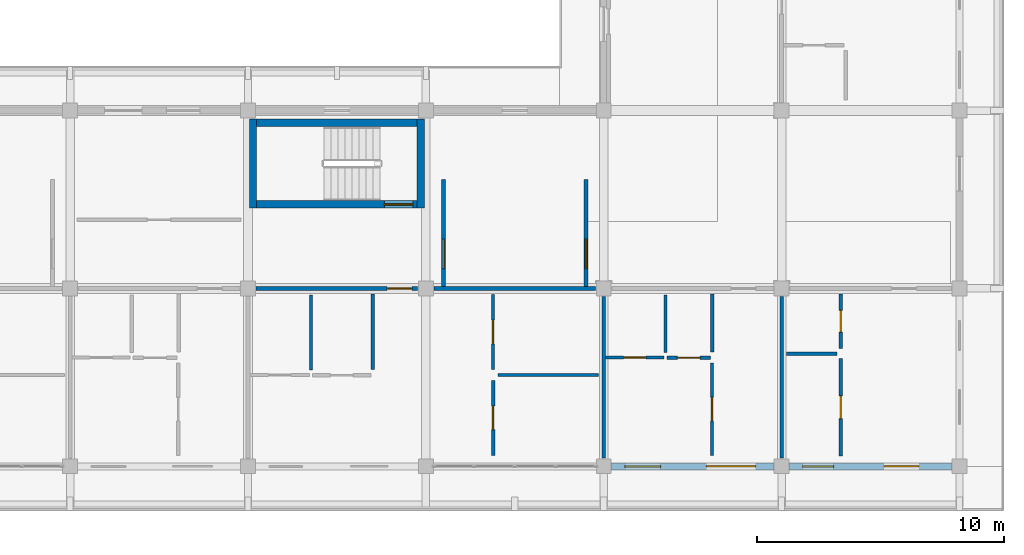
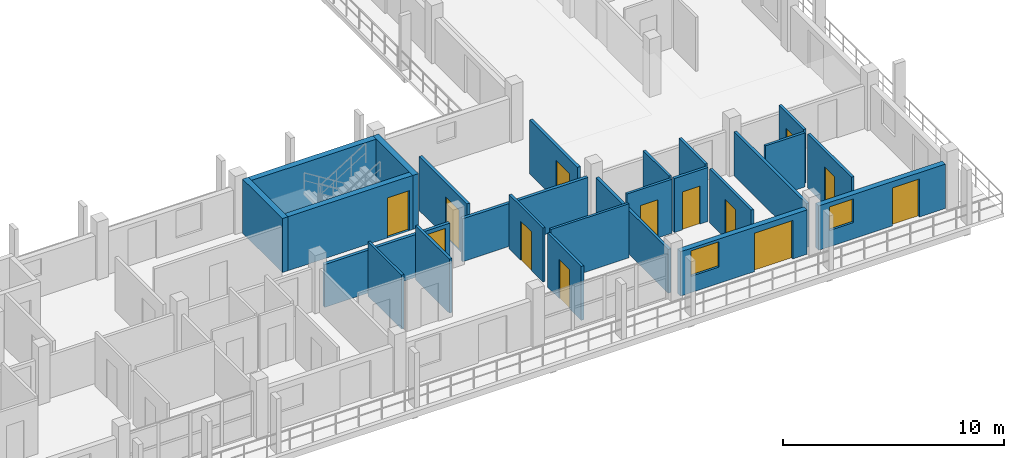
# One storey, part 53 of 76: 25 walls, 13 doors, 2 windows, 15 openings.
"""IFC4 building model written with IfcOpenShell, lengths in metres."""

from ifc_helpers import new_model, si_unit, direction, frame, frame_2d, origin, place, context, subcontext, project, spatial, rectangle, extrude, material, layer, layer_set, type_object, element, fill, save


model = new_model("IFC4")

# Units and contexts
model_context = context("Model", 3, precision=1e-05, world=origin(), true_north=direction((0.0, 1.0)))
body_context = subcontext(model_context, "Body", "Model", "MODEL_VIEW")
ifc_project = project(units=[si_unit("LENGTHUNIT", "METRE"), si_unit("AREAUNIT", "SQUARE_METRE"), si_unit("VOLUMEUNIT", "CUBIC_METRE"), si_unit("PLANEANGLEUNIT", "RADIAN"), si_unit("MASSUNIT", "GRAM", prefix="KILO")], contexts=[model_context])

# Site, building, storey
site_placement = place(None, origin())
site = spatial("IfcSite", under=ifc_project, at=site_placement, CompositionType="ELEMENT")
building_placement = place(site_placement, origin())
building = spatial("IfcBuilding", under=site, at=building_placement, Name="Suanplinth Sawtooth Commons", CompositionType="ELEMENT")
storey_placement = place(building_placement, frame((0.0, 0.0, 12.199951171875)))
storey = spatial("IfcBuildingStorey", under=building, at=storey_placement, Name="L03", CompositionType="ELEMENT", Elevation=12.199951171875)

# Wall, opening, door
ifc_material_1 = material(Name="Concrete C40/50", Category="concrete")
ifc_layer_1 = layer(ifc_material_1, 0.300048828125, Name="Standard RC stair and lift core wall 300mm")
ifc_layer_set_1 = layer_set([ifc_layer_1], Name="Concrete C40/50")
wall_type_1 = type_object("IfcWallType", Name="W-CR02", PredefinedType="SHEAR", material=ifc_layer_set_1)
wall_1_placement = place(storey_placement, frame((158.75, 10.60009765625, 0.0), z_axis=(0.0, 0.0, 1.0), x_axis=(1.0, 0.0, 0.0)))
wall_1 = element("IfcWall", 1, at=wall_1_placement, inside=storey, type_object=wall_type_1, Name="W-L03-C-C2-STS", PredefinedType="SHEAR", context=body_context, shape_type="SweptSolid", body=[
    extrude(rectangle(XDim=6.5, YDim=0.300048828125, at=frame_2d((3.25, 0.0))), origin(), (0.0, 0.0, 1.0), 2.97998046875),
])
opening_1_placement = place(wall_1_placement, frame((5.169921875, 0.0, 0.0)))
opening_1 = element("IfcOpeningElement", 2, at=opening_1_placement, cuts=wall_1, Name="Opening FD0333", PredefinedType="OPENING", context=body_context, shape_type="SweptSolid", body=[
    extrude(rectangle(XDim=1.14990234375, YDim=2.199951171875, at=frame_2d((0.574951171875, 1.10009765625))), frame((0.0, 0.1650390625, 0.0), z_axis=(0.0, -1.0, 0.0), x_axis=(1.0, 0.0, 0.0)), (0.0, 0.0, 1.0), 0.329833984375),
])
ifc_material_2 = material(Name="Teak hardwood fire-rated door assembly", Category="wood")
door_type_1 = type_object("IfcDoorType", Name="FD-01", OperationType="NOTDEFINED", PredefinedType="DOOR", material=ifc_material_2)
door_1_placement = place(opening_1_placement, origin())
door_1 = element("IfcDoor", 3, at=door_1_placement, inside=storey, type_object=door_type_1, Name="Exit Stair Fire Door FD0333", OperationType="SINGLE_SWING_RIGHT", OverallHeight=2.199951171875, OverallWidth=1.14990234375, PredefinedType="DOOR", context=body_context, shape_type="SweptSolid", body=[
    extrude(rectangle(XDim=1.14990234375, YDim=2.199951171875, at=frame_2d((0.574951171875, 1.10009765625))), frame((0.0, 0.02490234375, 0.0), z_axis=(0.0, -1.0, 0.0), x_axis=(1.0, 0.0, 0.0)), (0.0, 0.0, 1.0), 0.050048828125),
])
fill(opening_1, door_1)

# Walls
wall_2_placement = place(storey_placement, frame((158.75, 13.89990234375, 0.0), z_axis=(0.0, 0.0, 1.0), x_axis=(1.0, 0.0, 0.0)))
element("IfcWall", 4, at=wall_2_placement, inside=storey, type_object=wall_type_1, Name="W-L03-C-C2-STN", PredefinedType="SHEAR", context=body_context, shape_type="SweptSolid", body=[
    extrude(rectangle(XDim=6.5, YDim=0.300048828125, at=frame_2d((3.25, 0.0))), origin(), (0.0, 0.0, 1.0), 2.97998046875),
])
for number, where, z_axis, x_axis, name in (
    (5, (158.60009765625, 10.449951171875, 0.0), (0.0, 0.0, 1.0), (0.0, 1.0, 0.0), "W-L03-C-C2-STW"),
    (6, (165.39990234375, 10.449951171875, 0.0), (0.0, 0.0, 1.0), (0.0, 1.0, 0.0), "W-L03-C-C2-STE"),
):
    element("IfcWall", number, at=place(storey_placement, frame(where, z_axis=z_axis, x_axis=x_axis)), inside=storey, type_object=wall_type_1, Name=name, PredefinedType="SHEAR", context=body_context, shape_type="SweptSolid", body=[
        extrude(rectangle(XDim=3.60009765625, YDim=0.300048828125, at=frame_2d((1.800048828125, 0.0))), origin(), (0.0, 0.0, 1.0), 2.97998046875),
    ])

# Wall, openings, door, window
ifc_material_3 = material(Name="Precast concrete C40/50", Category="concrete")
ifc_layer_2 = layer(ifc_material_3, 0.280029296875, Name="Insulated precast architectural facade wall 280mm")
ifc_layer_set_2 = layer_set([ifc_layer_2], Name="Precast concrete C40/50")
wall_type_2 = type_object("IfcWallType", Name="W-EX01", PredefinedType="ELEMENTEDWALL", material=ifc_layer_set_2)
wall_3_placement = place(storey_placement, frame((173.10009765625, 0.0, 0.0), z_axis=(0.0, 0.0, 1.0), x_axis=(1.0, 0.0, 0.0)))
wall_3 = element("IfcWall", 7, at=wall_3_placement, inside=storey, type_object=wall_type_2, Name="Facade Wall W-L03-C-S-24-0", PredefinedType="ELEMENTEDWALL", context=body_context, shape_type="SweptSolid", body=[
    extrude(rectangle(XDim=6.599853515625, YDim=0.280029296875, at=frame_2d((3.2998046875, 0.0))), origin(), (0.0, 0.0, 1.0), 2.445068359375),
])
opening_2_placement = place(wall_3_placement, frame((3.85009765625, 0.0, 0.0)))
opening_2 = element("IfcOpeningElement", 8, at=opening_2_placement, cuts=wall_3, Name="Opening ED0276", PredefinedType="OPENING", context=body_context, shape_type="SweptSolid", body=[
    extrude(rectangle(XDim=2.0, YDim=2.1201171875, at=frame_2d((1.0, 1.06005859375))), frame((0.0, 0.15478515625, 0.0), z_axis=(0.0, -1.0, 0.0), x_axis=(1.0, 0.0, 0.0)), (0.0, 0.0, 1.0), 0.309814453125),
])
opening_3_placement = place(wall_3_placement, frame((0.550048828125, 0.0, 0.89990234375)))
opening_3 = element("IfcOpeningElement", 9, at=opening_3_placement, cuts=wall_3, Name="Opening W0386", PredefinedType="OPENING", context=body_context, shape_type="SweptSolid", body=[
    extrude(rectangle(XDim=1.449951171875, YDim=1.39990234375, at=frame_2d((0.72509765625, 0.699951171875))), frame((0.0, 0.15478515625, 0.0), z_axis=(0.0, -1.0, 0.0), x_axis=(1.0, 0.0, 0.0)), (0.0, 0.0, 1.0), 0.309814453125),
])
ifc_material_4 = material(Name="Anodized aluminium and low-E glass", Category="aluminium")
door_type_2 = type_object("IfcDoorType", Name="SD-06", OperationType="DOUBLE_DOOR_SLIDING", PredefinedType="DOOR", material=ifc_material_4)
door_2_placement = place(opening_2_placement, frame((2.0, 0.0, 0.0), z_axis=(0.0, 0.0, 1.0), x_axis=(-1.0, 0.0, 0.0)))
door_2 = element("IfcDoor", 10, at=door_2_placement, inside=storey, type_object=door_type_2, Name="Balcony Sliding Door L03-C-24", OperationType="DOUBLE_DOOR_SLIDING", OverallHeight=2.1201171875, OverallWidth=2.0, PredefinedType="DOOR", context=body_context, shape_type="SweptSolid", body=[
    extrude(rectangle(XDim=2.0, YDim=2.1201171875, at=frame_2d((1.0, 1.06005859375))), frame((0.0, 0.02490234375, 0.0), z_axis=(0.0, -1.0, 0.0), x_axis=(1.0, 0.0, 0.0)), (0.0, 0.0, 1.0), 0.050048828125),
])
fill(opening_2, door_2)
ifc_material_5 = material(Name="Thermally broken aluminium and low-E double glazing", Category="aluminium")
window_type_1 = type_object("IfcWindowType", Name="WN-16", PartitioningType="DOUBLE_PANEL_VERTICAL", PredefinedType="WINDOW", material=ifc_material_5)
window_1_placement = place(opening_3_placement, origin())
window_1 = element("IfcWindow", 11, at=window_1_placement, inside=storey, type_object=window_type_1, Name="Apartment Window L03-C-24", OverallHeight=1.39990234375, OverallWidth=1.449951171875, PartitioningType="DOUBLE_PANEL_VERTICAL", PredefinedType="WINDOW", context=body_context, shape_type="SweptSolid", body=[
    extrude(rectangle(XDim=1.449951171875, YDim=1.39990234375, at=frame_2d((0.72509765625, 0.699951171875))), frame((0.0, 0.030029296875, 0.0), z_axis=(0.0, -1.0, 0.0), x_axis=(1.0, 0.0, 0.0)), (0.0, 0.0, 1.0), 0.06005859375),
])
fill(opening_3, window_1)

wall_4_placement = place(storey_placement, frame((180.300048828125, 0.0, 0.0), z_axis=(0.0, 0.0, 1.0), x_axis=(1.0, 0.0, 0.0)))
wall_4 = element("IfcWall", 12, at=wall_4_placement, inside=storey, type_object=wall_type_2, Name="Facade Wall W-L03-C-S-25-0", PredefinedType="ELEMENTEDWALL", context=body_context, shape_type="SweptSolid", body=[
    extrude(rectangle(XDim=6.599853515625, YDim=0.280029296875, at=frame_2d((3.2998046875, 0.0))), origin(), (0.0, 0.0, 1.0), 2.445068359375),
])
opening_4_placement = place(wall_4_placement, frame((3.85009765625, 0.0, 0.0)))
opening_4 = element("IfcOpeningElement", 13, at=opening_4_placement, cuts=wall_4, Name="Opening ED0281", PredefinedType="OPENING", context=body_context, shape_type="SweptSolid", body=[
    extrude(rectangle(XDim=1.39990234375, YDim=2.10009765625, at=frame_2d((0.699951171875, 1.050048828125))), frame((0.0, 0.15478515625, 0.0), z_axis=(0.0, -1.0, 0.0), x_axis=(1.0, 0.0, 0.0)), (0.0, 0.0, 1.0), 0.309814453125),
])
opening_5_placement = place(wall_4_placement, frame((0.550048828125, 0.0, 0.89990234375)))
opening_5 = element("IfcOpeningElement", 14, at=opening_5_placement, cuts=wall_4, Name="Opening W0388", PredefinedType="OPENING", context=body_context, shape_type="SweptSolid", body=[
    extrude(rectangle(XDim=1.25, YDim=1.300048828125, at=frame_2d((0.625, 0.64990234375))), frame((0.0, 0.15478515625, 0.0), z_axis=(0.0, -1.0, 0.0), x_axis=(1.0, 0.0, 0.0)), (0.0, 0.0, 1.0), 0.309814453125),
])
door_type_3 = type_object("IfcDoorType", Name="SD-07", OperationType="SLIDING_TO_RIGHT", PredefinedType="DOOR", material=ifc_material_4)
door_3_placement = place(opening_4_placement, frame((1.39990234375, 0.0, 0.0), z_axis=(0.0, 0.0, 1.0), x_axis=(-1.0, 0.0, 0.0)))
door_3 = element("IfcDoor", 15, at=door_3_placement, inside=storey, type_object=door_type_3, Name="Balcony Sliding Door L03-C-25", OperationType="SLIDING_TO_RIGHT", OverallHeight=2.10009765625, OverallWidth=1.39990234375, PredefinedType="DOOR", context=body_context, shape_type="SweptSolid", body=[
    extrude(rectangle(XDim=1.39990234375, YDim=2.10009765625, at=frame_2d((0.699951171875, 1.050048828125))), frame((0.0, 0.02490234375, 0.0), z_axis=(0.0, -1.0, 0.0), x_axis=(1.0, 0.0, 0.0)), (0.0, 0.0, 1.0), 0.050048828125),
])
fill(opening_4, door_3)
window_type_2 = type_object("IfcWindowType", Name="WN-17", PartitioningType="SINGLE_PANEL", PredefinedType="WINDOW", material=ifc_material_5)
window_2_placement = place(opening_5_placement, origin())
window_2 = element("IfcWindow", 16, at=window_2_placement, inside=storey, type_object=window_type_2, Name="Apartment Window L03-C-25", OverallHeight=1.300048828125, OverallWidth=1.25, PartitioningType="SINGLE_PANEL", PredefinedType="WINDOW", context=body_context, shape_type="SweptSolid", body=[
    extrude(rectangle(XDim=1.25, YDim=1.300048828125, at=frame_2d((0.625, 0.64990234375))), frame((0.0, 0.030029296875, 0.0), z_axis=(0.0, -1.0, 0.0), x_axis=(1.0, 0.0, 0.0)), (0.0, 0.0, 1.0), 0.06005859375),
])
fill(opening_5, window_2)

# Wall, opening, door
ifc_layer_3 = layer(ifc_material_3, 0.159912109375, Name="Fire-rated corridor and lobby wall 160mm")
ifc_layer_set_3 = layer_set([ifc_layer_3], Name="Precast concrete C40/50")
wall_type_3 = type_object("IfcWallType", Name="W-FW01", PredefinedType="PARTITIONING", material=ifc_layer_set_3)
wall_5_placement = place(storey_placement, frame((166.320068359375, 7.280029296875, 0.0), z_axis=(0.0, 0.0, 1.0), x_axis=(0.0, 1.0, 0.0)))
wall_5 = element("IfcWall", 17, at=wall_5_placement, inside=storey, type_object=wall_type_3, Name="W-L03-C-C2-LOB-W", PredefinedType="PARTITIONING", context=body_context, shape_type="SweptSolid", body=[
    extrude(rectangle(XDim=4.320068359375, YDim=0.159912109375, at=frame_2d((2.16015625, 0.0))), origin(), (0.0, 0.0, 1.0), 2.97998046875),
])
opening_6_placement = place(wall_5_placement, frame((0.719970703125, 0.0, 0.0)))
opening_6 = element("IfcOpeningElement", 18, at=opening_6_placement, cuts=wall_5, Name="Opening FD0334", PredefinedType="OPENING", context=body_context, shape_type="SweptSolid", body=[
    extrude(rectangle(XDim=1.199951171875, YDim=2.199951171875, at=frame_2d((0.60009765625, 1.10009765625))), frame((0.0, 0.0947265625, 0.0), z_axis=(0.0, -1.0, 0.0), x_axis=(1.0, 0.0, 0.0)), (0.0, 0.0, 1.0), 0.189697265625),
])
door_type_4 = type_object("IfcDoorType", Name="FD-02", OperationType="NOTDEFINED", PredefinedType="DOOR", material=ifc_material_2)
door_4_placement = place(opening_6_placement, origin())
door_4 = element("IfcDoor", 19, at=door_4_placement, inside=storey, type_object=door_type_4, Name="Lobby Fire Door FD0334", OperationType="SINGLE_SWING_LEFT", OverallHeight=2.199951171875, OverallWidth=1.199951171875, PredefinedType="DOOR", context=body_context, shape_type="SweptSolid", body=[
    extrude(rectangle(XDim=1.199951171875, YDim=2.199951171875, at=frame_2d((0.60009765625, 1.10009765625))), frame((0.0, 0.02490234375, 0.0), z_axis=(0.0, -1.0, 0.0), x_axis=(1.0, 0.0, 0.0)), (0.0, 0.0, 1.0), 0.050048828125),
])
fill(opening_6, door_4)

wall_6_placement = place(storey_placement, frame((172.080078125, 7.280029296875, 0.0), z_axis=(0.0, 0.0, 1.0), x_axis=(0.0, 1.0, 0.0)))
wall_6 = element("IfcWall", 20, at=wall_6_placement, inside=storey, type_object=wall_type_3, Name="W-L03-C-C2-LOB-E", PredefinedType="PARTITIONING", context=body_context, shape_type="SweptSolid", body=[
    extrude(rectangle(XDim=4.320068359375, YDim=0.159912109375, at=frame_2d((2.16015625, 0.0))), origin(), (0.0, 0.0, 1.0), 2.97998046875),
])
opening_7_placement = place(wall_6_placement, frame((0.719970703125, 0.0, 0.0)))
opening_7 = element("IfcOpeningElement", 21, at=opening_7_placement, cuts=wall_6, Name="Opening FD0335", PredefinedType="OPENING", context=body_context, shape_type="SweptSolid", body=[
    extrude(rectangle(XDim=1.199951171875, YDim=2.199951171875, at=frame_2d((0.60009765625, 1.10009765625))), frame((0.0, 0.0947265625, 0.0), z_axis=(0.0, -1.0, 0.0), x_axis=(1.0, 0.0, 0.0)), (0.0, 0.0, 1.0), 0.189697265625),
])
door_5_placement = place(opening_7_placement, frame((1.199951171875, 0.0, 0.0), z_axis=(0.0, 0.0, 1.0), x_axis=(-1.0, 0.0, 0.0)))
door_5 = element("IfcDoor", 22, at=door_5_placement, inside=storey, type_object=door_type_4, Name="Lobby Fire Door FD0335", OperationType="SINGLE_SWING_RIGHT", OverallHeight=2.199951171875, OverallWidth=1.199951171875, PredefinedType="DOOR", context=body_context, shape_type="SweptSolid", body=[
    extrude(rectangle(XDim=1.199951171875, YDim=2.199951171875, at=frame_2d((0.60009765625, 1.10009765625))), frame((0.0, 0.02490234375, 0.0), z_axis=(0.0, -1.0, 0.0), x_axis=(1.0, 0.0, 0.0)), (0.0, 0.0, 1.0), 0.050048828125),
])
fill(opening_7, door_5)

wall_7_placement = place(storey_placement, frame((158.72998046875, 7.199951171875, 0.0), z_axis=(0.0, 0.0, 1.0), x_axis=(1.0, 0.0, 0.0)))
wall_7 = element("IfcWall", 23, at=wall_7_placement, inside=storey, type_object=wall_type_3, Name="W-C-L03-U05-COR-S1", PredefinedType="PARTITIONING", context=body_context, shape_type="SweptSolid", body=[
    extrude(rectangle(XDim=6.5400390625, YDim=0.159912109375, at=frame_2d((3.27001953125, 0.0))), origin(), (0.0, 0.0, 1.0), 2.364990234375),
])
opening_8_placement = place(wall_7_placement, frame((5.300048828125, 0.0, 0.0)))
opening_8 = element("IfcOpeningElement", 24, at=opening_8_placement, cuts=wall_7, Name="Opening FD0977", PredefinedType="OPENING", context=body_context, shape_type="SweptSolid", body=[
    extrude(rectangle(XDim=1.0, YDim=2.14990234375, at=frame_2d((0.5, 1.074951171875))), frame((0.0, 0.0947265625, 0.0), z_axis=(0.0, -1.0, 0.0), x_axis=(1.0, 0.0, 0.0)), (0.0, 0.0, 1.0), 0.189697265625),
])
door_type_5 = type_object("IfcDoorType", Name="FD-03", OperationType="NOTDEFINED", PredefinedType="DOOR", material=ifc_material_2)
door_6_placement = place(opening_8_placement, frame((1.0, 0.0, 0.0), z_axis=(0.0, 0.0, 1.0), x_axis=(-1.0, 0.0, 0.0)))
door_6 = element("IfcDoor", 25, at=door_6_placement, inside=storey, type_object=door_type_5, Name="Unit Entrance Door FD0977", OperationType="SINGLE_SWING_LEFT", OverallHeight=2.14990234375, OverallWidth=1.0, PredefinedType="DOOR", context=body_context, shape_type="SweptSolid", body=[
    extrude(rectangle(XDim=1.0, YDim=2.14990234375, at=frame_2d((0.5, 1.074951171875))), frame((0.0, 0.02490234375, 0.0), z_axis=(0.0, -1.0, 0.0), x_axis=(1.0, 0.0, 0.0)), (0.0, 0.0, 1.0), 0.050048828125),
])
fill(opening_8, door_6)

# Walls
wall_8_placement = place(storey_placement, frame((165.929931640625, 7.199951171875, 0.0), z_axis=(0.0, 0.0, 1.0), x_axis=(1.0, 0.0, 0.0)))
element("IfcWall", 26, at=wall_8_placement, inside=storey, type_object=wall_type_3, Name="W-C-L03-U05-COR-S2", PredefinedType="PARTITIONING", context=body_context, shape_type="SweptSolid", body=[
    extrude(rectangle(XDim=6.5400390625, YDim=0.159912109375, at=frame_2d((3.27001953125, 0.0))), origin(), (0.0, 0.0, 1.0), 2.364990234375),
])
ifc_layer_4 = layer(ifc_material_3, 0.14990234375, Name="Acoustic precast party demising wall 150mm")
ifc_layer_set_4 = layer_set([ifc_layer_4], Name="Precast concrete C40/50")
wall_type_4 = type_object("IfcWallType", Name="W-FW02", PredefinedType="PARTITIONING", material=ifc_layer_set_4)
for number, where, z_axis, x_axis, name in (
    (27, (172.800048828125, 0.330078125, 0.0), (0.0, 0.0, 1.0), (0.0, 1.0, 0.0), "W-C-L03-U05-PTY"),
    (28, (180.0, 0.330078125, 0.0), (0.0, 0.0, 1.0), (0.0, 1.0, 0.0), "W-C-L03-U06-PTY"),
):
    element("IfcWall", number, at=place(storey_placement, frame(where, z_axis=z_axis, x_axis=x_axis)), inside=storey, type_object=wall_type_4, Name=name, PredefinedType="PARTITIONING", context=body_context, shape_type="SweptSolid", body=[
        extrude(rectangle(XDim=6.5400390625, YDim=0.14990234375, at=frame_2d((3.27001953125, 0.0))), origin(), (0.0, 0.0, 1.0), 2.4150390625),
    ])
ifc_material_6 = material(Name="Gypsum plasterboard on steel stud", Category="steel")
ifc_layer_5 = layer(ifc_material_6, 0.139892578125, Name="Fire-rated kitchen partition 140mm")
ifc_layer_set_5 = layer_set([ifc_layer_5], Name="Gypsum plasterboard on steel stud")
wall_type_5 = type_object("IfcWallType", Name="W-PT01", PredefinedType="PARTITIONING", material=ifc_layer_set_5)
wall_9_placement = place(storey_placement, frame((163.449951171875, 3.909912109375, 0.0), z_axis=(0.0, 0.0, 1.0), x_axis=(0.0, 1.0, 0.0)))
element("IfcWall", 29, at=wall_9_placement, inside=storey, type_object=wall_type_5, Name="W-C-L03-U05-KIT2", PredefinedType="PARTITIONING", context=body_context, shape_type="SweptSolid", body=[
    extrude(rectangle(XDim=3.06005859375, YDim=0.139892578125, at=frame_2d((1.530029296875, 0.0))), origin(), (0.0, 0.0, 1.0), 2.97998046875),
])

# Wall, opening, door
wall_10_placement = place(storey_placement, frame((175.35009765625, 4.39990234375, 0.0), z_axis=(0.0, 0.0, 1.0), x_axis=(1.0, 0.0, 0.0)))
wall_10 = element("IfcWall", 30, at=wall_10_placement, inside=storey, type_object=wall_type_5, Name="W-C-L03-U06-KIT1", PredefinedType="PARTITIONING", context=body_context, shape_type="SweptSolid", body=[
    extrude(rectangle(XDim=1.77001953125, YDim=0.139892578125, at=frame_2d((0.885009765625, 0.0))), origin(), (0.0, 0.0, 1.0), 2.97998046875),
])
opening_9_placement = place(wall_10_placement, frame((0.425048828125, 0.0, 0.0)))
opening_9 = element("IfcOpeningElement", 31, at=opening_9_placement, cuts=wall_10, Name="Opening D0984", PredefinedType="OPENING", context=body_context, shape_type="SweptSolid", body=[
    extrude(rectangle(XDim=0.919921875, YDim=2.10009765625, at=frame_2d((0.4599609375, 1.050048828125))), frame((0.0, 0.0849609375, 0.0), z_axis=(0.0, -1.0, 0.0), x_axis=(1.0, 0.0, 0.0)), (0.0, 0.0, 1.0), 0.169677734375),
])
ifc_material_7 = material(Name="Teak hardwood", Category="wood")
door_type_6 = type_object("IfcDoorType", Name="D-02", OperationType="NOTDEFINED", PredefinedType="DOOR", material=ifc_material_7)
door_7_placement = place(opening_9_placement, origin())
door_7 = element("IfcDoor", 32, at=door_7_placement, inside=storey, type_object=door_type_6, Name="Kitchen Door D0984", OperationType="SINGLE_SWING_RIGHT", OverallHeight=2.10009765625, OverallWidth=0.919921875, PredefinedType="DOOR", context=body_context, shape_type="SweptSolid", body=[
    extrude(rectangle(XDim=0.919921875, YDim=2.10009765625, at=frame_2d((0.4599609375, 1.050048828125))), frame((0.0, 0.02490234375, 0.0), z_axis=(0.0, -1.0, 0.0), x_axis=(1.0, 0.0, 0.0)), (0.0, 0.0, 1.0), 0.050048828125),
])
fill(opening_9, door_7)

# Wall
wall_11_placement = place(storey_placement, frame((177.18994140625, 4.6201171875, 0.0), z_axis=(0.0, 0.0, 1.0), x_axis=(0.0, 1.0, 0.0)))
element("IfcWall", 33, at=wall_11_placement, inside=storey, type_object=wall_type_5, Name="W-C-L03-U06-KIT2", PredefinedType="PARTITIONING", context=body_context, shape_type="SweptSolid", body=[
    extrude(rectangle(XDim=2.349853515625, YDim=0.139892578125, at=frame_2d((1.1748046875, 0.0))), origin(), (0.0, 0.0, 1.0), 2.97998046875),
])

# Wall, opening, door
wall_12_placement = place(storey_placement, frame((182.39501953125, 0.419921875, 0.0), z_axis=(0.0, 0.0, 1.0), x_axis=(0.0, 1.0, 0.0)))
wall_12 = element("IfcWall", 34, at=wall_12_placement, inside=storey, type_object=wall_type_5, Name="W-C-L03-U07-KITE", PredefinedType="PARTITIONING", context=body_context, shape_type="SweptSolid", body=[
    extrude(rectangle(XDim=3.940185546875, YDim=0.139892578125, at=frame_2d((1.97021484375, 0.0))), origin(), (0.0, 0.0, 1.0), 2.97998046875),
])
opening_10_placement = place(wall_12_placement, frame((1.510009765625, 0.0, 0.0)))
opening_10 = element("IfcOpeningElement", 35, at=opening_10_placement, cuts=wall_12, Name="Opening D0988", PredefinedType="OPENING", context=body_context, shape_type="SweptSolid", body=[
    extrude(rectangle(XDim=0.919921875, YDim=2.10009765625, at=frame_2d((0.4599609375, 1.050048828125))), frame((0.0, 0.0849609375, 0.0), z_axis=(0.0, -1.0, 0.0), x_axis=(1.0, 0.0, 0.0)), (0.0, 0.0, 1.0), 0.169677734375),
])
door_8_placement = place(opening_10_placement, origin())
door_8 = element("IfcDoor", 36, at=door_8_placement, inside=storey, type_object=door_type_6, Name="Kitchen Door D0988", OperationType="SINGLE_SWING_RIGHT", OverallHeight=2.10009765625, OverallWidth=0.919921875, PredefinedType="DOOR", context=body_context, shape_type="SweptSolid", body=[
    extrude(rectangle(XDim=0.919921875, YDim=2.10009765625, at=frame_2d((0.4599609375, 1.050048828125))), frame((0.0, 0.02490234375, 0.0), z_axis=(0.0, -1.0, 0.0), x_axis=(1.0, 0.0, 0.0)), (0.0, 0.0, 1.0), 0.050048828125),
])
fill(opening_10, door_8)

# Wall
ifc_layer_6 = layer(ifc_material_6, 0.1298828125, Name="Moisture-resistant bathroom partition 130mm")
ifc_layer_set_6 = layer_set([ifc_layer_6], Name="Gypsum plasterboard on steel stud")
wall_type_6 = type_object("IfcWallType", Name="W-PT02", PredefinedType="PARTITIONING", material=ifc_layer_set_6)
wall_13_placement = place(storey_placement, frame((160.945068359375, 3.89990234375, 0.0), z_axis=(0.0, 0.0, 1.0), x_axis=(0.0, 1.0, 0.0)))
element("IfcWall", 37, at=wall_13_placement, inside=storey, type_object=wall_type_6, Name="W-C-L03-U05-BTH2", PredefinedType="PARTITIONING", context=body_context, shape_type="SweptSolid", body=[
    extrude(rectangle(XDim=3.0400390625, YDim=0.1298828125, at=frame_2d((1.52001953125, 0.0))), origin(), (0.0, 0.0, 1.0), 2.97998046875),
])

# Wall, opening, door
wall_14_placement = place(storey_placement, frame((172.8798828125, 4.405029296875, 0.0), z_axis=(0.0, 0.0, 1.0), x_axis=(1.0, 0.0, 0.0)))
wall_14 = element("IfcWall", 38, at=wall_14_placement, inside=storey, type_object=wall_type_6, Name="W-C-L03-U06-BTH1", PredefinedType="PARTITIONING", context=body_context, shape_type="SweptSolid", body=[
    extrude(rectangle(XDim=2.35009765625, YDim=0.1298828125, at=frame_2d((1.175048828125, 0.0))), origin(), (0.0, 0.0, 1.0), 2.97998046875),
])
opening_11_placement = place(wall_14_placement, frame((0.72509765625, 0.0, 0.0)))
opening_11 = element("IfcOpeningElement", 39, at=opening_11_placement, cuts=wall_14, Name="Opening D0983", PredefinedType="OPENING", context=body_context, shape_type="SweptSolid", body=[
    extrude(rectangle(XDim=0.89990234375, YDim=2.10009765625, at=frame_2d((0.449951171875, 1.050048828125))), frame((0.0, 0.079833984375, 0.0), z_axis=(0.0, -1.0, 0.0), x_axis=(1.0, 0.0, 0.0)), (0.0, 0.0, 1.0), 0.15966796875),
])
door_type_7 = type_object("IfcDoorType", Name="D-01", OperationType="NOTDEFINED", PredefinedType="DOOR", material=ifc_material_7)
door_9_placement = place(opening_11_placement, origin())
door_9 = element("IfcDoor", 40, at=door_9_placement, inside=storey, type_object=door_type_7, Name="Bathroom Door D0983", OperationType="SINGLE_SWING_LEFT", OverallHeight=2.10009765625, OverallWidth=0.89990234375, PredefinedType="DOOR", context=body_context, shape_type="SweptSolid", body=[
    extrude(rectangle(XDim=0.89990234375, YDim=2.10009765625, at=frame_2d((0.449951171875, 1.050048828125))), frame((0.0, 0.02490234375, 0.0), z_axis=(0.0, -1.0, 0.0), x_axis=(1.0, 0.0, 0.0)), (0.0, 0.0, 1.0), 0.050048828125),
])
fill(opening_11, door_9)

# Walls
wall_15_placement = place(storey_placement, frame((175.294921875, 4.610107421875, 0.0), z_axis=(0.0, 0.0, 1.0), x_axis=(0.0, 1.0, 0.0)))
element("IfcWall", 41, at=wall_15_placement, inside=storey, type_object=wall_type_6, Name="W-C-L03-U06-BTH2", PredefinedType="PARTITIONING", context=body_context, shape_type="SweptSolid", body=[
    extrude(rectangle(XDim=2.329833984375, YDim=0.1298828125, at=frame_2d((1.1650390625, 0.0))), origin(), (0.0, 0.0, 1.0), 2.97998046875),
])
wall_16_placement = place(storey_placement, frame((180.199951171875, 4.56005859375, 0.0), z_axis=(0.0, 0.0, 1.0), x_axis=(1.0, 0.0, 0.0)))
element("IfcWall", 42, at=wall_16_placement, inside=storey, type_object=wall_type_6, Name="W-C-L03-U07-STDIV", PredefinedType="PARTITIONING", context=body_context, shape_type="SweptSolid", body=[
    extrude(rectangle(XDim=2.050048828125, YDim=0.1298828125, at=frame_2d((1.02490234375, 0.0))), origin(), (0.0, 0.0, 1.0), 2.97998046875),
])

# Wall, opening, door
wall_17_placement = place(storey_placement, frame((182.39501953125, 4.760009765625, 0.0), z_axis=(0.0, 0.0, 1.0), x_axis=(0.0, 1.0, 0.0)))
wall_17 = element("IfcWall", 43, at=wall_17_placement, inside=storey, type_object=wall_type_6, Name="W-C-L03-U07-BTHE", PredefinedType="PARTITIONING", context=body_context, shape_type="SweptSolid", body=[
    extrude(rectangle(XDim=2.219970703125, YDim=0.1298828125, at=frame_2d((1.10986328125, 0.0))), origin(), (0.0, 0.0, 1.0), 2.97998046875),
])
opening_12_placement = place(wall_17_placement, frame((0.669921875, 0.0, 0.0)))
opening_12 = element("IfcOpeningElement", 44, at=opening_12_placement, cuts=wall_17, Name="Opening D0987", PredefinedType="OPENING", context=body_context, shape_type="SweptSolid", body=[
    extrude(rectangle(XDim=0.8798828125, YDim=2.10009765625, at=frame_2d((0.43994140625, 1.050048828125))), frame((0.0, 0.079833984375, 0.0), z_axis=(0.0, -1.0, 0.0), x_axis=(1.0, 0.0, 0.0)), (0.0, 0.0, 1.0), 0.15966796875),
])
door_type_8 = type_object("IfcDoorType", Name="D-14", OperationType="NOTDEFINED", PredefinedType="DOOR", material=ifc_material_7)
door_10_placement = place(opening_12_placement, origin())
door_10 = element("IfcDoor", 45, at=door_10_placement, inside=storey, type_object=door_type_8, Name="Bathroom Door D0987", OperationType="SINGLE_SWING_LEFT", OverallHeight=2.10009765625, OverallWidth=0.8798828125, PredefinedType="DOOR", context=body_context, shape_type="SweptSolid", body=[
    extrude(rectangle(XDim=0.8798828125, YDim=2.10009765625, at=frame_2d((0.43994140625, 1.050048828125))), frame((0.0, 0.02490234375, 0.0), z_axis=(0.0, -1.0, 0.0), x_axis=(1.0, 0.0, 0.0)), (0.0, 0.0, 1.0), 0.050048828125),
])
fill(opening_12, door_10)

ifc_layer_7 = layer(ifc_material_6, 0.1201171875, Name="Acoustic bedroom partition 120mm")
ifc_layer_set_7 = layer_set([ifc_layer_7], Name="Gypsum plasterboard on steel stud")
wall_type_7 = type_object("IfcWallType", Name="W-PT03", PredefinedType="PARTITIONING", material=ifc_layer_set_7)
wall_18_placement = place(storey_placement, frame((168.320068359375, 3.919921875, 0.0), z_axis=(0.0, 0.0, 1.0), x_axis=(0.0, 1.0, 0.0)))
wall_18 = element("IfcWall", 46, at=wall_18_placement, inside=storey, type_object=wall_type_7, Name="W-C-L03-U05-BED2", PredefinedType="PARTITIONING", context=body_context, shape_type="SweptSolid", body=[
    extrude(rectangle(XDim=3.0400390625, YDim=0.1201171875, at=frame_2d((1.52001953125, 0.0))), origin(), (0.0, 0.0, 1.0), 2.97998046875),
])
opening_13_placement = place(wall_18_placement, frame((1.0400390625, 0.0, 0.0)))
opening_13 = element("IfcOpeningElement", 47, at=opening_13_placement, cuts=wall_18, Name="Opening D0981", PredefinedType="OPENING", context=body_context, shape_type="SweptSolid", body=[
    extrude(rectangle(XDim=0.9599609375, YDim=2.14990234375, at=frame_2d((0.47998046875, 1.074951171875))), frame((0.0, 0.074951171875, 0.0), z_axis=(0.0, -1.0, 0.0), x_axis=(1.0, 0.0, 0.0)), (0.0, 0.0, 1.0), 0.14990234375),
])
door_type_9 = type_object("IfcDoorType", Name="D-13", OperationType="NOTDEFINED", PredefinedType="DOOR", material=ifc_material_7)
door_11_placement = place(opening_13_placement, frame((0.9599609375, 0.0, 0.0), z_axis=(0.0, 0.0, 1.0), x_axis=(-1.0, 0.0, 0.0)))
door_11 = element("IfcDoor", 48, at=door_11_placement, inside=storey, type_object=door_type_9, Name="Second Bedroom Door D0981", OperationType="SINGLE_SWING_LEFT", OverallHeight=2.14990234375, OverallWidth=0.9599609375, PredefinedType="DOOR", context=body_context, shape_type="SweptSolid", body=[
    extrude(rectangle(XDim=0.9599609375, YDim=2.14990234375, at=frame_2d((0.47998046875, 1.074951171875))), frame((0.0, 0.02490234375, 0.0), z_axis=(0.0, -1.0, 0.0), x_axis=(1.0, 0.0, 0.0)), (0.0, 0.0, 1.0), 0.050048828125),
])
fill(opening_13, door_11)

# Wall
ifc_layer_8 = layer(ifc_material_6, 0.125, Name="Acoustic study partition 125mm")
ifc_layer_set_8 = layer_set([ifc_layer_8], Name="Gypsum plasterboard on steel stud")
wall_type_8 = type_object("IfcWallType", Name="W-PT06", PredefinedType="PARTITIONING", material=ifc_layer_set_8)
wall_19_placement = place(storey_placement, frame((168.52001953125, 3.699951171875, 0.0), z_axis=(0.0, 0.0, 1.0), x_axis=(1.0, 0.0, 0.0)))
element("IfcWall", 49, at=wall_19_placement, inside=storey, type_object=wall_type_8, Name="W-C-L03-U05-BEDDIV", PredefinedType="PARTITIONING", context=body_context, shape_type="SweptSolid", body=[
    extrude(rectangle(XDim=4.06005859375, YDim=0.125, at=frame_2d((2.030029296875, 0.0))), origin(), (0.0, 0.0, 1.0), 2.97998046875),
])

# Wall, opening, door
ifc_layer_9 = layer(ifc_material_6, 0.135009765625, Name="Insulated bedroom demising partition 135mm")
ifc_layer_set_9 = layer_set([ifc_layer_9], Name="Gypsum plasterboard on steel stud")
wall_type_9 = type_object("IfcWallType", Name="W-PT07", PredefinedType="PARTITIONING", material=ifc_layer_set_9)
wall_20_placement = place(storey_placement, frame((168.320068359375, 0.43994140625, 0.0), z_axis=(0.0, 0.0, 1.0), x_axis=(0.0, 1.0, 0.0)))
wall_20 = element("IfcWall", 50, at=wall_20_placement, inside=storey, type_object=wall_type_9, Name="W-C-L03-U05-BED1", PredefinedType="PARTITIONING", context=body_context, shape_type="SweptSolid", body=[
    extrude(rectangle(XDim=3.0400390625, YDim=0.135009765625, at=frame_2d((1.52001953125, 0.0))), origin(), (0.0, 0.0, 1.0), 2.97998046875),
])
opening_14_placement = place(wall_20_placement, frame((1.044921875, 0.0, 0.0)))
opening_14 = element("IfcOpeningElement", 51, at=opening_14_placement, cuts=wall_20, Name="Opening D0980", PredefinedType="OPENING", context=body_context, shape_type="SweptSolid", body=[
    extrude(rectangle(XDim=0.949951171875, YDim=2.14990234375, at=frame_2d((0.47509765625, 1.074951171875))), frame((0.0, 0.08251953125, 0.0), z_axis=(0.0, -1.0, 0.0), x_axis=(1.0, 0.0, 0.0)), (0.0, 0.0, 1.0), 0.164794921875),
])
door_type_10 = type_object("IfcDoorType", Name="D-03", OperationType="NOTDEFINED", PredefinedType="DOOR", material=ifc_material_7)
door_12_placement = place(opening_14_placement, frame((0.949951171875, 0.0, 0.0), z_axis=(0.0, 0.0, 1.0), x_axis=(-1.0, 0.0, 0.0)))
door_12 = element("IfcDoor", 52, at=door_12_placement, inside=storey, type_object=door_type_10, Name="Bedroom Door D0980", OperationType="SINGLE_SWING_RIGHT", OverallHeight=2.14990234375, OverallWidth=0.949951171875, PredefinedType="DOOR", context=body_context, shape_type="SweptSolid", body=[
    extrude(rectangle(XDim=0.949951171875, YDim=2.14990234375, at=frame_2d((0.47509765625, 1.074951171875))), frame((0.0, 0.02490234375, 0.0), z_axis=(0.0, -1.0, 0.0), x_axis=(1.0, 0.0, 0.0)), (0.0, 0.0, 1.0), 0.050048828125),
])
fill(opening_14, door_12)

wall_21_placement = place(storey_placement, frame((177.179931640625, 0.43994140625, 0.0), z_axis=(0.0, 0.0, 1.0), x_axis=(0.0, 1.0, 0.0)))
wall_21 = element("IfcWall", 53, at=wall_21_placement, inside=storey, type_object=wall_type_9, Name="W-C-L03-U06-BED1", PredefinedType="PARTITIONING", context=body_context, shape_type="SweptSolid", body=[
    extrude(rectangle(XDim=3.75, YDim=0.135009765625, at=frame_2d((1.875, 0.0))), origin(), (0.0, 0.0, 1.0), 2.97998046875),
])
opening_15_placement = place(wall_21_placement, frame((1.39990234375, 0.0, 0.0)))
opening_15 = element("IfcOpeningElement", 54, at=opening_15_placement, cuts=wall_21, Name="Opening D0985", PredefinedType="OPENING", context=body_context, shape_type="SweptSolid", body=[
    extrude(rectangle(XDim=0.949951171875, YDim=2.14990234375, at=frame_2d((0.47509765625, 1.074951171875))), frame((0.0, 0.08251953125, 0.0), z_axis=(0.0, -1.0, 0.0), x_axis=(1.0, 0.0, 0.0)), (0.0, 0.0, 1.0), 0.164794921875),
])
door_13_placement = place(opening_15_placement, origin())
door_13 = element("IfcDoor", 55, at=door_13_placement, inside=storey, type_object=door_type_10, Name="Bedroom Door D0985", OperationType="SINGLE_SWING_LEFT", OverallHeight=2.14990234375, OverallWidth=0.949951171875, PredefinedType="DOOR", context=body_context, shape_type="SweptSolid", body=[
    extrude(rectangle(XDim=0.949951171875, YDim=2.14990234375, at=frame_2d((0.47509765625, 1.074951171875))), frame((0.0, 0.02490234375, 0.0), z_axis=(0.0, -1.0, 0.0), x_axis=(1.0, 0.0, 0.0)), (0.0, 0.0, 1.0), 0.050048828125),
])
fill(opening_15, door_13)

save(model, "model.ifc")
